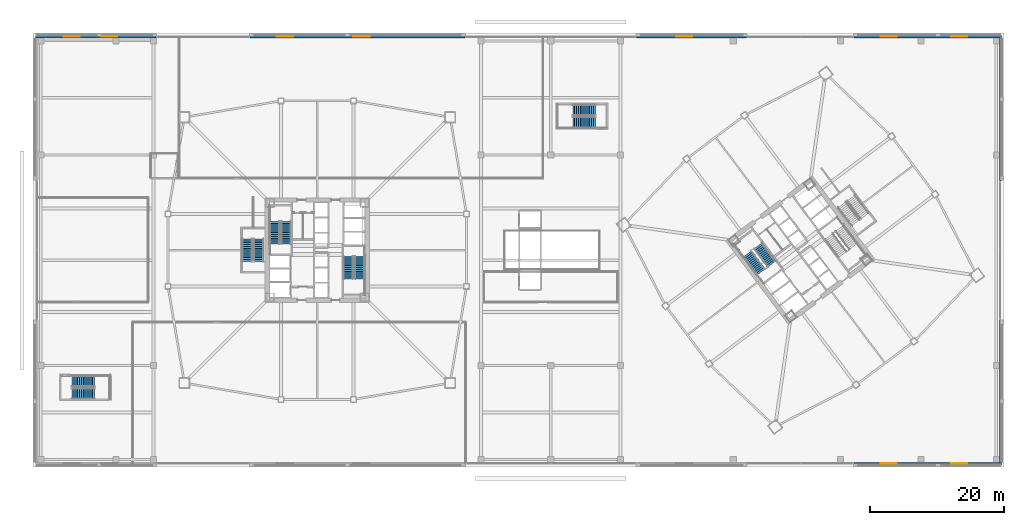
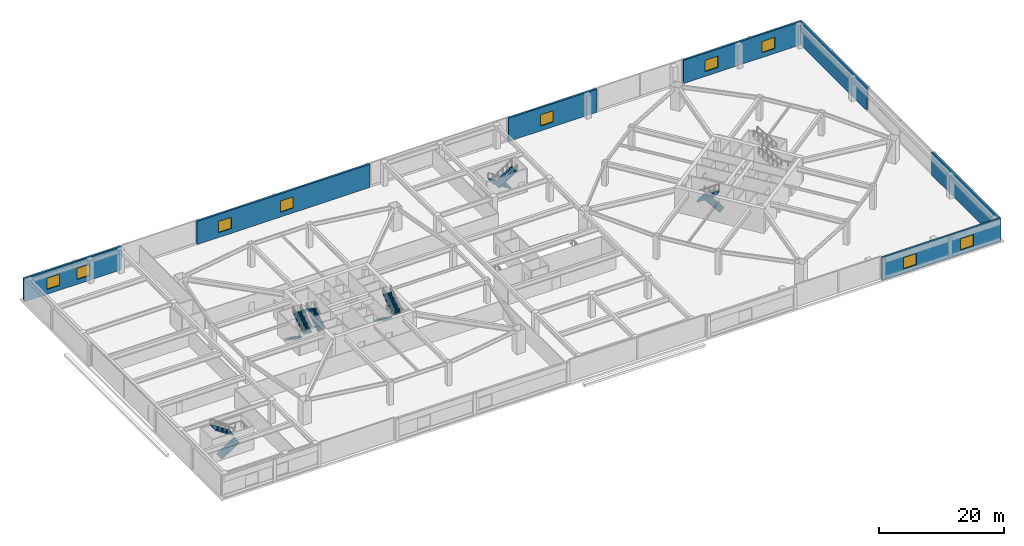
# One storey, part 34 of 44: 12 stair flights, 9 windows, 7 walls, 9 openings, 6 elements without a shape of their own.
"""IFC4 building model written with IfcOpenShell, lengths in metres."""

from ifc_helpers import new_model, si_unit, direction, frame, frame_2d, origin, place, context, subcontext, project, spatial, polyline, rectangle, outline, extrude, material, layer, layer_set, type_object, element, fill, aggregate, save


model = new_model("IFC4")

# Units and contexts
model_context = context("Model", 3, precision=1e-05, world=origin(), true_north=direction((0.0, 1.0)))
body_context = subcontext(model_context, "Body", "Model", "MODEL_VIEW")
ifc_project = project(units=[si_unit("LENGTHUNIT", "METRE"), si_unit("AREAUNIT", "SQUARE_METRE"), si_unit("VOLUMEUNIT", "CUBIC_METRE"), si_unit("PLANEANGLEUNIT", "RADIAN"), si_unit("MASSUNIT", "GRAM", prefix="KILO")], contexts=[model_context])

# Site, building, storey
site_placement = place(None, origin())
site = spatial("IfcSite", under=ifc_project, at=site_placement, CompositionType="ELEMENT")
building_placement = place(site_placement, origin())
building = spatial("IfcBuilding", under=site, at=building_placement, Name="Tashvorn Skyway Center", CompositionType="ELEMENT")
storey_placement = place(building_placement, frame((0.0, 0.0, 5.39990234375)))
storey = spatial("IfcBuildingStorey", under=building, at=storey_placement, Name="L01", CompositionType="ELEMENT", Elevation=5.39990234375)

# Wall, openings, windows
ifc_material_1 = material(Name="Precast concrete C40/50", Category="concrete")
ifc_layer = layer(ifc_material_1, 0.35009765625)
ifc_layer_set = layer_set([ifc_layer], Name="Precast concrete C40/50")
wall_type = type_object("IfcWallType", Name="WALL-EXT-350", PredefinedType="SOLIDWALL", material=ifc_layer_set)
wall_1_placement = place(storey_placement, frame((144.0, 0.175048828125, 0.0), z_axis=(0.0, 0.0, 1.0), x_axis=(-1.0, 0.0, 0.0)))
wall_1 = element("IfcWall", 1, at=wall_1_placement, inside=storey, type_object=wall_type, Name="L01 South Postmodern Pier Wall E1", PredefinedType="SOLIDWALL", context=body_context, shape_type="SweptSolid", body=[
    extrude(rectangle(XDim=22.0, YDim=0.35009765625, at=frame_2d((11.0, 0.0))), origin(), (0.0, 0.0, 1.0), 4.5400390625),
])
opening_1_placement = place(wall_1_placement, frame((15.60009765625, 0.0, 0.949951171875)))
opening_1 = element("IfcOpeningElement", 2, at=opening_1_placement, cuts=wall_1, Name="Opening WIN-2400", PredefinedType="OPENING", context=body_context, shape_type="SweptSolid", body=[
    extrude(rectangle(XDim=2.39990234375, YDim=2.199951171875, at=frame_2d((1.199951171875, 1.10009765625))), frame((0.0, 0.18505859375, 0.0), z_axis=(0.0, -1.0, 0.0), x_axis=(1.0, 0.0, 0.0)), (0.0, 0.0, 1.0), 0.3701171875),
])
opening_2_placement = place(wall_1_placement, frame((5.10009765625, 0.0, 0.949951171875)))
opening_2 = element("IfcOpeningElement", 3, at=opening_2_placement, cuts=wall_1, Name="Opening WIN-2400", PredefinedType="OPENING", context=body_context, shape_type="SweptSolid", body=[
    extrude(rectangle(XDim=2.39990234375, YDim=2.199951171875, at=frame_2d((1.199951171875, 1.10009765625))), frame((0.0, 0.18505859375, 0.0), z_axis=(0.0, -1.0, 0.0), x_axis=(1.0, 0.0, 0.0)), (0.0, 0.0, 1.0), 0.3701171875),
])
ifc_material_2 = material(Name="Low-E solar-control double insulating safety glass", Category="glass")
window_type = type_object("IfcWindowType", Name="WIN-POD-2400", PartitioningType="SINGLE_PANEL", PredefinedType="WINDOW", material=ifc_material_2)
window_1_placement = place(opening_1_placement, origin())
window_1 = element("IfcWindow", 4, at=window_1_placement, inside=storey, type_object=window_type, Name="L01 South Station Pier Window 06", OverallHeight=2.199951171875, OverallWidth=2.39990234375, PartitioningType="SINGLE_PANEL", PredefinedType="WINDOW", context=body_context, shape_type="SweptSolid", body=[
    extrude(rectangle(XDim=2.39990234375, YDim=2.199951171875, at=frame_2d((1.199951171875, 1.10009765625))), frame((0.0, 0.030029296875, 0.0), z_axis=(0.0, -1.0, 0.0), x_axis=(1.0, 0.0, 0.0)), (0.0, 0.0, 1.0), 0.06005859375),
])
fill(opening_1, window_1)
window_2_placement = place(opening_2_placement, origin())
window_2 = element("IfcWindow", 5, at=window_2_placement, inside=storey, type_object=window_type, Name="L01 South Station Pier Window 07", OverallHeight=2.199951171875, OverallWidth=2.39990234375, PartitioningType="SINGLE_PANEL", PredefinedType="WINDOW", context=body_context, shape_type="SweptSolid", body=[
    extrude(rectangle(XDim=2.39990234375, YDim=2.199951171875, at=frame_2d((1.199951171875, 1.10009765625))), frame((0.0, 0.030029296875, 0.0), z_axis=(0.0, -1.0, 0.0), x_axis=(1.0, 0.0, 0.0)), (0.0, 0.0, 1.0), 0.06005859375),
])
fill(opening_2, window_2)

wall_2_placement = place(storey_placement, frame((0.0, 63.824951171875, 0.0), z_axis=(0.0, 0.0, 1.0), x_axis=(1.0, 0.0, 0.0)))
wall_2 = element("IfcWall", 6, at=wall_2_placement, inside=storey, type_object=wall_type, Name="L01 North Postmodern Pier Wall W1", PredefinedType="SOLIDWALL", context=body_context, shape_type="SweptSolid", body=[
    extrude(rectangle(XDim=18.0, YDim=0.35009765625, at=frame_2d((9.0, 0.0))), origin(), (0.0, 0.0, 1.0), 4.5400390625),
])
opening_3_placement = place(wall_2_placement, frame((4.199951171875, 0.0, 0.949951171875)))
opening_3 = element("IfcOpeningElement", 7, at=opening_3_placement, cuts=wall_2, Name="Opening WIN-2400", PredefinedType="OPENING", context=body_context, shape_type="SweptSolid", body=[
    extrude(rectangle(XDim=2.39990234375, YDim=2.199951171875, at=frame_2d((1.199951171875, 1.10009765625))), frame((0.0, 0.18505859375, 0.0), z_axis=(0.0, -1.0, 0.0), x_axis=(1.0, 0.0, 0.0)), (0.0, 0.0, 1.0), 0.3701171875),
])
opening_4_placement = place(wall_2_placement, frame((9.800048828125, 0.0, 0.949951171875)))
opening_4 = element("IfcOpeningElement", 8, at=opening_4_placement, cuts=wall_2, Name="Opening WIN-2400", PredefinedType="OPENING", context=body_context, shape_type="SweptSolid", body=[
    extrude(rectangle(XDim=2.39990234375, YDim=2.199951171875, at=frame_2d((1.199951171875, 1.10009765625))), frame((0.0, 0.18505859375, 0.0), z_axis=(0.0, -1.0, 0.0), x_axis=(1.0, 0.0, 0.0)), (0.0, 0.0, 1.0), 0.3701171875),
])
window_3_placement = place(opening_3_placement, origin())
window_3 = element("IfcWindow", 9, at=window_3_placement, inside=storey, type_object=window_type, Name="L01 North Station Pier Window 01", OverallHeight=2.199951171875, OverallWidth=2.39990234375, PartitioningType="SINGLE_PANEL", PredefinedType="WINDOW", context=body_context, shape_type="SweptSolid", body=[
    extrude(rectangle(XDim=2.39990234375, YDim=2.199951171875, at=frame_2d((1.199951171875, 1.10009765625))), frame((0.0, 0.030029296875, 0.0), z_axis=(0.0, -1.0, 0.0), x_axis=(1.0, 0.0, 0.0)), (0.0, 0.0, 1.0), 0.06005859375),
])
fill(opening_3, window_3)
window_4_placement = place(opening_4_placement, origin())
window_4 = element("IfcWindow", 10, at=window_4_placement, inside=storey, type_object=window_type, Name="L01 North Station Pier Window 02", OverallHeight=2.199951171875, OverallWidth=2.39990234375, PartitioningType="SINGLE_PANEL", PredefinedType="WINDOW", context=body_context, shape_type="SweptSolid", body=[
    extrude(rectangle(XDim=2.39990234375, YDim=2.199951171875, at=frame_2d((1.199951171875, 1.10009765625))), frame((0.0, 0.030029296875, 0.0), z_axis=(0.0, -1.0, 0.0), x_axis=(1.0, 0.0, 0.0)), (0.0, 0.0, 1.0), 0.06005859375),
])
fill(opening_4, window_4)

wall_3_placement = place(storey_placement, frame((32.0, 63.824951171875, 0.0), z_axis=(0.0, 0.0, 1.0), x_axis=(1.0, 0.0, 0.0)))
wall_3 = element("IfcWall", 11, at=wall_3_placement, inside=storey, type_object=wall_type, Name="L01 North Postmodern Pier Wall M1", PredefinedType="SOLIDWALL", context=body_context, shape_type="SweptSolid", body=[
    extrude(rectangle(XDim=32.0, YDim=0.35009765625, at=frame_2d((16.0, 0.0))), origin(), (0.0, 0.0, 1.0), 4.5400390625),
])
opening_5_placement = place(wall_3_placement, frame((4.0, 0.0, 0.949951171875)))
opening_5 = element("IfcOpeningElement", 12, at=opening_5_placement, cuts=wall_3, Name="Opening WIN-2400", PredefinedType="OPENING", context=body_context, shape_type="SweptSolid", body=[
    extrude(rectangle(XDim=2.39990234375, YDim=2.199951171875, at=frame_2d((1.199951171875, 1.10009765625))), frame((0.0, 0.18505859375, 0.0), z_axis=(0.0, -1.0, 0.0), x_axis=(1.0, 0.0, 0.0)), (0.0, 0.0, 1.0), 0.3701171875),
])
opening_6_placement = place(wall_3_placement, frame((15.39990234375, 0.0, 0.949951171875)))
opening_6 = element("IfcOpeningElement", 13, at=opening_6_placement, cuts=wall_3, Name="Opening WIN-2400", PredefinedType="OPENING", context=body_context, shape_type="SweptSolid", body=[
    extrude(rectangle(XDim=2.39990234375, YDim=2.199951171875, at=frame_2d((1.199951171875, 1.10009765625))), frame((0.0, 0.18505859375, 0.0), z_axis=(0.0, -1.0, 0.0), x_axis=(1.0, 0.0, 0.0)), (0.0, 0.0, 1.0), 0.3701171875),
])
window_5_placement = place(opening_5_placement, origin())
window_5 = element("IfcWindow", 14, at=window_5_placement, inside=storey, type_object=window_type, Name="L01 North Station Pier Window 03", OverallHeight=2.199951171875, OverallWidth=2.39990234375, PartitioningType="SINGLE_PANEL", PredefinedType="WINDOW", context=body_context, shape_type="SweptSolid", body=[
    extrude(rectangle(XDim=2.39990234375, YDim=2.199951171875, at=frame_2d((1.199951171875, 1.10009765625))), frame((0.0, 0.030029296875, 0.0), z_axis=(0.0, -1.0, 0.0), x_axis=(1.0, 0.0, 0.0)), (0.0, 0.0, 1.0), 0.06005859375),
])
fill(opening_5, window_5)
window_6_placement = place(opening_6_placement, origin())
window_6 = element("IfcWindow", 15, at=window_6_placement, inside=storey, type_object=window_type, Name="L01 North Station Pier Window 04", OverallHeight=2.199951171875, OverallWidth=2.39990234375, PartitioningType="SINGLE_PANEL", PredefinedType="WINDOW", context=body_context, shape_type="SweptSolid", body=[
    extrude(rectangle(XDim=2.39990234375, YDim=2.199951171875, at=frame_2d((1.199951171875, 1.10009765625))), frame((0.0, 0.030029296875, 0.0), z_axis=(0.0, -1.0, 0.0), x_axis=(1.0, 0.0, 0.0)), (0.0, 0.0, 1.0), 0.06005859375),
])
fill(opening_6, window_6)

# Wall, opening, window
wall_4_placement = place(storey_placement, frame((89.60009765625, 63.824951171875, 0.0), z_axis=(0.0, 0.0, 1.0), x_axis=(1.0, 0.0, 0.0)))
wall_4 = element("IfcWall", 16, at=wall_4_placement, inside=storey, type_object=wall_type, Name="L01 North Postmodern Pier Wall M2", PredefinedType="SOLIDWALL", context=body_context, shape_type="SweptSolid", body=[
    extrude(rectangle(XDim=16.39990234375, YDim=0.35009765625, at=frame_2d((8.199951171875, 0.0))), origin(), (0.0, 0.0, 1.0), 4.5400390625),
])
opening_7_placement = place(wall_4_placement, frame((5.89990234375, 0.0, 0.949951171875)))
opening_7 = element("IfcOpeningElement", 17, at=opening_7_placement, cuts=wall_4, Name="Opening WIN-2400", PredefinedType="OPENING", context=body_context, shape_type="SweptSolid", body=[
    extrude(rectangle(XDim=2.39990234375, YDim=2.199951171875, at=frame_2d((1.199951171875, 1.10009765625))), frame((0.0, 0.18505859375, 0.0), z_axis=(0.0, -1.0, 0.0), x_axis=(1.0, 0.0, 0.0)), (0.0, 0.0, 1.0), 0.3701171875),
])
window_7_placement = place(opening_7_placement, origin())
window_7 = element("IfcWindow", 18, at=window_7_placement, inside=storey, type_object=window_type, Name="L01 North Station Pier Window 05", OverallHeight=2.199951171875, OverallWidth=2.39990234375, PartitioningType="SINGLE_PANEL", PredefinedType="WINDOW", context=body_context, shape_type="SweptSolid", body=[
    extrude(rectangle(XDim=2.39990234375, YDim=2.199951171875, at=frame_2d((1.199951171875, 1.10009765625))), frame((0.0, 0.030029296875, 0.0), z_axis=(0.0, -1.0, 0.0), x_axis=(1.0, 0.0, 0.0)), (0.0, 0.0, 1.0), 0.06005859375),
])
fill(opening_7, window_7)

# Wall, openings, windows
wall_5_placement = place(storey_placement, frame((122.0, 63.824951171875, 0.0), z_axis=(0.0, 0.0, 1.0), x_axis=(1.0, 0.0, 0.0)))
wall_5 = element("IfcWall", 19, at=wall_5_placement, inside=storey, type_object=wall_type, Name="L01 North Postmodern Pier Wall E1", PredefinedType="SOLIDWALL", context=body_context, shape_type="SweptSolid", body=[
    extrude(rectangle(XDim=22.0, YDim=0.35009765625, at=frame_2d((11.0, 0.0))), origin(), (0.0, 0.0, 1.0), 4.5400390625),
])
opening_8_placement = place(wall_5_placement, frame((4.0, 0.0, 0.949951171875)))
opening_8 = element("IfcOpeningElement", 20, at=opening_8_placement, cuts=wall_5, Name="Opening WIN-2400", PredefinedType="OPENING", context=body_context, shape_type="SweptSolid", body=[
    extrude(rectangle(XDim=2.39990234375, YDim=2.199951171875, at=frame_2d((1.199951171875, 1.10009765625))), frame((0.0, 0.18505859375, 0.0), z_axis=(0.0, -1.0, 0.0), x_axis=(1.0, 0.0, 0.0)), (0.0, 0.0, 1.0), 0.3701171875),
])
opening_9_placement = place(wall_5_placement, frame((14.5, 0.0, 0.949951171875)))
opening_9 = element("IfcOpeningElement", 21, at=opening_9_placement, cuts=wall_5, Name="Opening WIN-2400", PredefinedType="OPENING", context=body_context, shape_type="SweptSolid", body=[
    extrude(rectangle(XDim=2.39990234375, YDim=2.199951171875, at=frame_2d((1.199951171875, 1.10009765625))), frame((0.0, 0.18505859375, 0.0), z_axis=(0.0, -1.0, 0.0), x_axis=(1.0, 0.0, 0.0)), (0.0, 0.0, 1.0), 0.3701171875),
])
window_8_placement = place(opening_8_placement, origin())
window_8 = element("IfcWindow", 22, at=window_8_placement, inside=storey, type_object=window_type, Name="L01 North Station Pier Window 06", OverallHeight=2.199951171875, OverallWidth=2.39990234375, PartitioningType="SINGLE_PANEL", PredefinedType="WINDOW", context=body_context, shape_type="SweptSolid", body=[
    extrude(rectangle(XDim=2.39990234375, YDim=2.199951171875, at=frame_2d((1.199951171875, 1.10009765625))), frame((0.0, 0.030029296875, 0.0), z_axis=(0.0, -1.0, 0.0), x_axis=(1.0, 0.0, 0.0)), (0.0, 0.0, 1.0), 0.06005859375),
])
fill(opening_8, window_8)
window_9_placement = place(opening_9_placement, origin())
window_9 = element("IfcWindow", 23, at=window_9_placement, inside=storey, type_object=window_type, Name="L01 North Station Pier Window 07", OverallHeight=2.199951171875, OverallWidth=2.39990234375, PartitioningType="SINGLE_PANEL", PredefinedType="WINDOW", context=body_context, shape_type="SweptSolid", body=[
    extrude(rectangle(XDim=2.39990234375, YDim=2.199951171875, at=frame_2d((1.199951171875, 1.10009765625))), frame((0.0, 0.030029296875, 0.0), z_axis=(0.0, -1.0, 0.0), x_axis=(1.0, 0.0, 0.0)), (0.0, 0.0, 1.0), 0.06005859375),
])
fill(opening_9, window_9)

# Walls
for number, where, z_axis, x_axis, name in (
    (24, (143.824951171875, 63.64990234375, 0.0), (0.0, 0.0, 1.0), (0.0, -1.0, 0.0), "L01 East-North Postmodern Facade Wall"),
    (25, (143.824951171875, 21.60009765625, 0.0), (0.0, 0.0, 1.0), (0.0, -1.0, 0.0), "L01 East-South Postmodern Facade Wall"),
):
    element("IfcWall", number, at=place(storey_placement, frame(where, z_axis=z_axis, x_axis=x_axis)), inside=storey, type_object=wall_type, Name=name, PredefinedType="SOLIDWALL", context=body_context, shape_type="SweptSolid", body=[
        extrude(rectangle(XDim=21.25, YDim=0.35009765625, at=frame_2d((10.625, 0.0))), origin(), (0.0, 0.0, 1.0), 4.5400390625),
    ])

# Stair, stair flights
ifc_material_3 = material(Name="Concrete C40/50", Category="concrete")
stair_type_1 = type_object("IfcStairType", Name="STAIR-CORE-1500", PredefinedType="HALF_TURN_STAIR", material=ifc_material_3)
stair_1_placement = place(storey_placement, origin())
stair_1 = element("IfcStair", 26, at=stair_1_placement, inside=storey, type_object=stair_type_1, Name="L01 Tower 1 Exit Stair 1", PredefinedType="HALF_TURN_STAIR")
stair_flight_type_1 = type_object("IfcStairFlightType", Name="SFLIGHT-1500", PredefinedType="STRAIGHT", material=ifc_material_3)
stair_flight_1_placement = place(storey_placement, frame((37.35009765625, 32.919921875, 0.0), z_axis=(0.0, 0.0, 1.0), x_axis=(0.0, 1.0, 0.0)))
stair_flight_1 = element("IfcStairFlight", 27, at=stair_flight_1_placement, type_object=stair_flight_type_1, Name="ST-T1-1 flight 1", NumberOfRisers=13, NumberOfTreads=12, PredefinedType="STRAIGHT", RiserHeight=0.184615385, TreadLength=0.28, context=body_context, shape_type="SweptSolid", body=[
    extrude(outline(polyline([(0.0, 0.0), (0.0, 0.1845703125), (0.280029296875, 0.1845703125), (0.280029296875, 0.369140625), (0.56005859375, 0.369140625), (0.56005859375, 0.553955078125), (0.840087890625, 0.553955078125), (0.840087890625, 0.738525390625), (1.1201171875, 0.738525390625), (1.1201171875, 0.923095703125), (1.39990234375, 0.923095703125), (1.39990234375, 1.107666015625), (1.679931640625, 1.107666015625), (1.679931640625, 1.292236328125), (1.9599609375, 1.292236328125), (1.9599609375, 1.476806640625), (2.239990234375, 1.476806640625), (2.239990234375, 1.66162109375), (2.52001953125, 1.66162109375), (2.52001953125, 1.84619140625), (2.800048828125, 1.84619140625), (2.800048828125, 2.03076171875), (3.080078125, 2.03076171875), (3.080078125, 2.21533203125), (3.360107421875, 2.21533203125), (3.360107421875, 2.39990234375), (3.360107421875, 2.035888671875), (0.272216796875, 0.0), (0.0, 0.0)])), frame((0.0, 0.75, 0.0), z_axis=(0.0, -1.0, 0.0), x_axis=(1.0, 0.0, 0.0)), (0.0, 0.0, 1.0), 1.5),
])
stair_flight_2_placement = place(storey_placement, frame((35.64990234375, 36.280029296875, 2.400146484375), z_axis=(0.0, 0.0, 1.0), x_axis=(0.0, -1.0, 0.0)))
stair_flight_2 = element("IfcStairFlight", 28, at=stair_flight_2_placement, type_object=stair_flight_type_1, Name="ST-T1-1 flight 2", NumberOfRisers=13, NumberOfTreads=12, PredefinedType="STRAIGHT", RiserHeight=0.184615385, TreadLength=0.28, context=body_context, shape_type="SweptSolid", body=[
    extrude(outline(polyline([(0.0, 0.0), (0.0, 0.1845703125), (0.280029296875, 0.1845703125), (0.280029296875, 0.369140625), (0.56005859375, 0.369140625), (0.56005859375, 0.553955078125), (0.840087890625, 0.553955078125), (0.840087890625, 0.738525390625), (1.1201171875, 0.738525390625), (1.1201171875, 0.923095703125), (1.39990234375, 0.923095703125), (1.39990234375, 1.107666015625), (1.679931640625, 1.107666015625), (1.679931640625, 1.292236328125), (1.9599609375, 1.292236328125), (1.9599609375, 1.476806640625), (2.239990234375, 1.476806640625), (2.239990234375, 1.66162109375), (2.52001953125, 1.66162109375), (2.52001953125, 1.84619140625), (2.800048828125, 1.84619140625), (2.800048828125, 2.03076171875), (3.080078125, 2.03076171875), (3.080078125, 2.21533203125), (3.360107421875, 2.21533203125), (3.360107421875, 2.39990234375), (3.360107421875, 2.035888671875), (0.272216796875, 0.0), (0.0, 0.0)])), frame((0.0, 0.75, 0.0), z_axis=(0.0, -1.0, 0.0), x_axis=(1.0, 0.0, 0.0)), (0.0, 0.0, 1.0), 1.5),
])
aggregate(stair_1, [stair_flight_1, stair_flight_2])

stair_2_placement = place(storey_placement, origin())
stair_2 = element("IfcStair", 29, at=stair_2_placement, inside=storey, type_object=stair_type_1, Name="L01 Tower 1 Exit Stair 2", PredefinedType="HALF_TURN_STAIR")
stair_flight_3_placement = place(storey_placement, frame((46.64990234375, 31.080078125, 0.0), z_axis=(0.0, 0.0, 1.0), x_axis=(0.0, -1.0, 0.0)))
stair_flight_3 = element("IfcStairFlight", 30, at=stair_flight_3_placement, type_object=stair_flight_type_1, Name="ST-T1-2 flight 1", NumberOfRisers=13, NumberOfTreads=12, PredefinedType="STRAIGHT", RiserHeight=0.184615385, TreadLength=0.28, context=body_context, shape_type="SweptSolid", body=[
    extrude(outline(polyline([(0.0, 0.0), (0.0, 0.1845703125), (0.280029296875, 0.1845703125), (0.280029296875, 0.369140625), (0.56005859375, 0.369140625), (0.56005859375, 0.553955078125), (0.840087890625, 0.553955078125), (0.840087890625, 0.738525390625), (1.1201171875, 0.738525390625), (1.1201171875, 0.923095703125), (1.39990234375, 0.923095703125), (1.39990234375, 1.107666015625), (1.679931640625, 1.107666015625), (1.679931640625, 1.292236328125), (1.9599609375, 1.292236328125), (1.9599609375, 1.476806640625), (2.239990234375, 1.476806640625), (2.239990234375, 1.66162109375), (2.52001953125, 1.66162109375), (2.52001953125, 1.84619140625), (2.800048828125, 1.84619140625), (2.800048828125, 2.03076171875), (3.080078125, 2.03076171875), (3.080078125, 2.21533203125), (3.360107421875, 2.21533203125), (3.360107421875, 2.39990234375), (3.360107421875, 2.035888671875), (0.272216796875, 0.0), (0.0, 0.0)])), frame((0.0, 0.75, 0.0), z_axis=(0.0, -1.0, 0.0), x_axis=(1.0, 0.0, 0.0)), (0.0, 0.0, 1.0), 1.5),
])
stair_flight_4_placement = place(storey_placement, frame((48.35009765625, 27.719970703125, 2.400146484375), z_axis=(0.0, 0.0, 1.0), x_axis=(0.0, 1.0, 0.0)))
stair_flight_4 = element("IfcStairFlight", 31, at=stair_flight_4_placement, type_object=stair_flight_type_1, Name="ST-T1-2 flight 2", NumberOfRisers=13, NumberOfTreads=12, PredefinedType="STRAIGHT", RiserHeight=0.184615385, TreadLength=0.28, context=body_context, shape_type="SweptSolid", body=[
    extrude(outline(polyline([(0.0, 0.0), (0.0, 0.1845703125), (0.280029296875, 0.1845703125), (0.280029296875, 0.369140625), (0.56005859375, 0.369140625), (0.56005859375, 0.553955078125), (0.840087890625, 0.553955078125), (0.840087890625, 0.738525390625), (1.1201171875, 0.738525390625), (1.1201171875, 0.923095703125), (1.39990234375, 0.923095703125), (1.39990234375, 1.107666015625), (1.679931640625, 1.107666015625), (1.679931640625, 1.292236328125), (1.9599609375, 1.292236328125), (1.9599609375, 1.476806640625), (2.239990234375, 1.476806640625), (2.239990234375, 1.66162109375), (2.52001953125, 1.66162109375), (2.52001953125, 1.84619140625), (2.800048828125, 1.84619140625), (2.800048828125, 2.03076171875), (3.080078125, 2.03076171875), (3.080078125, 2.21533203125), (3.360107421875, 2.21533203125), (3.360107421875, 2.39990234375), (3.360107421875, 2.035888671875), (0.272216796875, 0.0), (0.0, 0.0)])), frame((0.0, 0.75, 0.0), z_axis=(0.0, -1.0, 0.0), x_axis=(1.0, 0.0, 0.0)), (0.0, 0.0, 1.0), 1.5),
])
aggregate(stair_2, [stair_flight_3, stair_flight_4])

stair_3_placement = place(storey_placement, origin())
stair_3 = element("IfcStair", 32, at=stair_3_placement, inside=storey, type_object=stair_type_1, Name="L01 Tower 2 Exit Stair 1", PredefinedType="HALF_TURN_STAIR")
stair_flight_5_placement = place(storey_placement, frame((109.72802734375, 29.946044921875, 0.0), z_axis=(0.0, 0.0, 1.0), x_axis=(-0.600000004945, 0.799999996291, 0.0)))
stair_flight_5 = element("IfcStairFlight", 33, at=stair_flight_5_placement, type_object=stair_flight_type_1, Name="ST-T2-1 flight 1", NumberOfRisers=13, NumberOfTreads=12, PredefinedType="STRAIGHT", RiserHeight=0.184615385, TreadLength=0.28, context=body_context, shape_type="SweptSolid", body=[
    extrude(outline(polyline([(0.0, 0.0), (0.0, 0.1845703125), (0.280029296875, 0.1845703125), (0.280029296875, 0.369140625), (0.56005859375, 0.369140625), (0.56005859375, 0.553955078125), (0.840087890625, 0.553955078125), (0.840087890625, 0.738525390625), (1.1201171875, 0.738525390625), (1.1201171875, 0.923095703125), (1.39990234375, 0.923095703125), (1.39990234375, 1.107666015625), (1.679931640625, 1.107666015625), (1.679931640625, 1.292236328125), (1.9599609375, 1.292236328125), (1.9599609375, 1.476806640625), (2.239990234375, 1.476806640625), (2.239990234375, 1.66162109375), (2.52001953125, 1.66162109375), (2.52001953125, 1.84619140625), (2.800048828125, 1.84619140625), (2.800048828125, 2.03076171875), (3.080078125, 2.03076171875), (3.080078125, 2.21533203125), (3.360107421875, 2.21533203125), (3.360107421875, 2.39990234375), (3.360107421875, 2.035888671875), (0.272216796875, 0.0), (0.0, 0.0)])), frame((0.0, 0.75, 0.0), z_axis=(0.0, -1.0, 0.0), x_axis=(1.0, 0.0, 0.0)), (0.0, 0.0, 1.0), 1.5),
])
stair_flight_6_placement = place(storey_placement, frame((106.1279296875, 31.446044921875, 2.400146484375), z_axis=(0.0, 0.0, 1.0), x_axis=(0.600000004945, -0.799999996291, 0.0)))
stair_flight_6 = element("IfcStairFlight", 34, at=stair_flight_6_placement, type_object=stair_flight_type_1, Name="ST-T2-1 flight 2", NumberOfRisers=13, NumberOfTreads=12, PredefinedType="STRAIGHT", RiserHeight=0.184615385, TreadLength=0.28, context=body_context, shape_type="SweptSolid", body=[
    extrude(outline(polyline([(0.0, 0.0), (0.0, 0.1845703125), (0.280029296875, 0.1845703125), (0.280029296875, 0.369140625), (0.56005859375, 0.369140625), (0.56005859375, 0.553955078125), (0.840087890625, 0.553955078125), (0.840087890625, 0.738525390625), (1.1201171875, 0.738525390625), (1.1201171875, 0.923095703125), (1.39990234375, 0.923095703125), (1.39990234375, 1.107666015625), (1.679931640625, 1.107666015625), (1.679931640625, 1.292236328125), (1.9599609375, 1.292236328125), (1.9599609375, 1.476806640625), (2.239990234375, 1.476806640625), (2.239990234375, 1.66162109375), (2.52001953125, 1.66162109375), (2.52001953125, 1.84619140625), (2.800048828125, 1.84619140625), (2.800048828125, 2.03076171875), (3.080078125, 2.03076171875), (3.080078125, 2.21533203125), (3.360107421875, 2.21533203125), (3.360107421875, 2.39990234375), (3.360107421875, 2.035888671875), (0.272216796875, 0.0), (0.0, 0.0)])), frame((0.0, 0.75, 0.0), z_axis=(0.0, -1.0, 0.0), x_axis=(1.0, 0.0, 0.0)), (0.0, 0.0, 1.0), 1.5),
])
aggregate(stair_3, [stair_flight_5, stair_flight_6])

stair_4_placement = place(storey_placement, origin())
stair_4 = element("IfcStair", 35, at=stair_4_placement, inside=storey, type_object=stair_type_1, Name="L01 Tower 1 Exit Stair 3", PredefinedType="HALF_TURN_STAIR")
stair_flight_7_placement = place(storey_placement, frame((31.550048828125, 33.679931640625, 0.0), z_axis=(0.0, 0.0, 1.0), x_axis=(0.0, -1.0, 0.0)))
stair_flight_7 = element("IfcStairFlight", 36, at=stair_flight_7_placement, type_object=stair_flight_type_1, Name="ST-T1-3 flight 1", NumberOfRisers=13, NumberOfTreads=12, PredefinedType="STRAIGHT", RiserHeight=0.184615385, TreadLength=0.28, context=body_context, shape_type="SweptSolid", body=[
    extrude(outline(polyline([(0.0, 0.0), (0.0, 0.1845703125), (0.280029296875, 0.1845703125), (0.280029296875, 0.369140625), (0.56005859375, 0.369140625), (0.56005859375, 0.553955078125), (0.840087890625, 0.553955078125), (0.840087890625, 0.738525390625), (1.1201171875, 0.738525390625), (1.1201171875, 0.923095703125), (1.39990234375, 0.923095703125), (1.39990234375, 1.107666015625), (1.679931640625, 1.107666015625), (1.679931640625, 1.292236328125), (1.9599609375, 1.292236328125), (1.9599609375, 1.476806640625), (2.239990234375, 1.476806640625), (2.239990234375, 1.66162109375), (2.52001953125, 1.66162109375), (2.52001953125, 1.84619140625), (2.800048828125, 1.84619140625), (2.800048828125, 2.03076171875), (3.080078125, 2.03076171875), (3.080078125, 2.21533203125), (3.360107421875, 2.21533203125), (3.360107421875, 2.39990234375), (3.360107421875, 2.035888671875), (0.272216796875, 0.0), (0.0, 0.0)])), frame((0.0, 0.75, 0.0), z_axis=(0.0, -1.0, 0.0), x_axis=(1.0, 0.0, 0.0)), (0.0, 0.0, 1.0), 1.5),
])
stair_flight_8_placement = place(storey_placement, frame((33.25, 30.320068359375, 2.400146484375), z_axis=(0.0, 0.0, 1.0), x_axis=(0.0, 1.0, 0.0)))
stair_flight_8 = element("IfcStairFlight", 37, at=stair_flight_8_placement, type_object=stair_flight_type_1, Name="ST-T1-3 flight 2", NumberOfRisers=13, NumberOfTreads=12, PredefinedType="STRAIGHT", RiserHeight=0.184615385, TreadLength=0.28, context=body_context, shape_type="SweptSolid", body=[
    extrude(outline(polyline([(0.0, 0.0), (0.0, 0.1845703125), (0.280029296875, 0.1845703125), (0.280029296875, 0.369140625), (0.56005859375, 0.369140625), (0.56005859375, 0.553955078125), (0.840087890625, 0.553955078125), (0.840087890625, 0.738525390625), (1.1201171875, 0.738525390625), (1.1201171875, 0.923095703125), (1.39990234375, 0.923095703125), (1.39990234375, 1.107666015625), (1.679931640625, 1.107666015625), (1.679931640625, 1.292236328125), (1.9599609375, 1.292236328125), (1.9599609375, 1.476806640625), (2.239990234375, 1.476806640625), (2.239990234375, 1.66162109375), (2.52001953125, 1.66162109375), (2.52001953125, 1.84619140625), (2.800048828125, 1.84619140625), (2.800048828125, 2.03076171875), (3.080078125, 2.03076171875), (3.080078125, 2.21533203125), (3.360107421875, 2.21533203125), (3.360107421875, 2.39990234375), (3.360107421875, 2.035888671875), (0.272216796875, 0.0), (0.0, 0.0)])), frame((0.0, 0.75, 0.0), z_axis=(0.0, -1.0, 0.0), x_axis=(1.0, 0.0, 0.0)), (0.0, 0.0, 1.0), 1.5),
])
aggregate(stair_4, [stair_flight_7, stair_flight_8])

stair_type_2 = type_object("IfcStairType", Name="STAIR-POD-1650", PredefinedType="HALF_TURN_STAIR", material=ifc_material_3)
stair_5_placement = place(storey_placement, origin())
stair_5 = element("IfcStair", 38, at=stair_5_placement, inside=storey, type_object=stair_type_2, Name="L01 Podium West Exit Stair 1", PredefinedType="HALF_TURN_STAIR")
stair_flight_type_2 = type_object("IfcStairFlightType", Name="SFLIGHT-1650", PredefinedType="STRAIGHT", material=ifc_material_3)
stair_flight_9_placement = place(storey_placement, frame((5.449951171875, 10.625, 0.0), z_axis=(0.0, 0.0, 1.0), x_axis=(1.0, 0.0, 0.0)))
stair_flight_9 = element("IfcStairFlight", 39, at=stair_flight_9_placement, type_object=stair_flight_type_2, Name="ST-POD-1 flight 1", NumberOfRisers=13, NumberOfTreads=12, PredefinedType="STRAIGHT", RiserHeight=0.184615385, TreadLength=0.28, context=body_context, shape_type="SweptSolid", body=[
    extrude(outline(polyline([(0.0, 0.0), (0.0, 0.1845703125), (0.280029296875, 0.1845703125), (0.280029296875, 0.369140625), (0.56005859375, 0.369140625), (0.56005859375, 0.553955078125), (0.840087890625, 0.553955078125), (0.840087890625, 0.738525390625), (1.1201171875, 0.738525390625), (1.1201171875, 0.923095703125), (1.39990234375, 0.923095703125), (1.39990234375, 1.107666015625), (1.679931640625, 1.107666015625), (1.679931640625, 1.292236328125), (1.9599609375, 1.292236328125), (1.9599609375, 1.476806640625), (2.239990234375, 1.476806640625), (2.239990234375, 1.66162109375), (2.52001953125, 1.66162109375), (2.52001953125, 1.84619140625), (2.800048828125, 1.84619140625), (2.800048828125, 2.03076171875), (3.080078125, 2.03076171875), (3.080078125, 2.21533203125), (3.360107421875, 2.21533203125), (3.360107421875, 2.39990234375), (3.360107421875, 2.035888671875), (0.272216796875, 0.0), (0.0, 0.0)])), frame((0.0, 0.824951171875, 0.0), z_axis=(0.0, -1.0, 0.0), x_axis=(1.0, 0.0, 0.0)), (0.0, 0.0, 1.0), 1.64990234375),
])
stair_flight_10_placement = place(storey_placement, frame((8.81005859375, 12.47509765625, 2.400146484375), z_axis=(0.0, 0.0, 1.0), x_axis=(-1.0, 0.0, 0.0)))
stair_flight_10 = element("IfcStairFlight", 40, at=stair_flight_10_placement, type_object=stair_flight_type_2, Name="ST-POD-1 flight 2", NumberOfRisers=13, NumberOfTreads=12, PredefinedType="STRAIGHT", RiserHeight=0.184615385, TreadLength=0.28, context=body_context, shape_type="SweptSolid", body=[
    extrude(outline(polyline([(0.0, 0.0), (0.0, 0.1845703125), (0.280029296875, 0.1845703125), (0.280029296875, 0.369140625), (0.56005859375, 0.369140625), (0.56005859375, 0.553955078125), (0.840087890625, 0.553955078125), (0.840087890625, 0.738525390625), (1.1201171875, 0.738525390625), (1.1201171875, 0.923095703125), (1.39990234375, 0.923095703125), (1.39990234375, 1.107666015625), (1.679931640625, 1.107666015625), (1.679931640625, 1.292236328125), (1.9599609375, 1.292236328125), (1.9599609375, 1.476806640625), (2.239990234375, 1.476806640625), (2.239990234375, 1.66162109375), (2.52001953125, 1.66162109375), (2.52001953125, 1.84619140625), (2.800048828125, 1.84619140625), (2.800048828125, 2.03076171875), (3.080078125, 2.03076171875), (3.080078125, 2.21533203125), (3.360107421875, 2.21533203125), (3.360107421875, 2.39990234375), (3.360107421875, 2.035888671875), (0.272216796875, 0.0), (0.0, 0.0)])), frame((0.0, 0.824951171875, 0.0), z_axis=(0.0, -1.0, 0.0), x_axis=(1.0, 0.0, 0.0)), (0.0, 0.0, 1.0), 1.64990234375),
])
aggregate(stair_5, [stair_flight_9, stair_flight_10])

stair_6_placement = place(storey_placement, origin())
stair_6 = element("IfcStair", 41, at=stair_6_placement, inside=storey, type_object=stair_type_2, Name="L01 Podium East Exit Stair 2", PredefinedType="HALF_TURN_STAIR")
stair_flight_11_placement = place(storey_placement, frame((83.449951171875, 52.875, 0.0), z_axis=(0.0, 0.0, 1.0), x_axis=(-1.0, 0.0, 0.0)))
stair_flight_11 = element("IfcStairFlight", 42, at=stair_flight_11_placement, type_object=stair_flight_type_2, Name="ST-POD-2 flight 1", NumberOfRisers=13, NumberOfTreads=12, PredefinedType="STRAIGHT", RiserHeight=0.184615385, TreadLength=0.28, context=body_context, shape_type="SweptSolid", body=[
    extrude(outline(polyline([(0.0, 0.0), (0.0, 0.1845703125), (0.280029296875, 0.1845703125), (0.280029296875, 0.369140625), (0.56005859375, 0.369140625), (0.56005859375, 0.553955078125), (0.840087890625, 0.553955078125), (0.840087890625, 0.738525390625), (1.1201171875, 0.738525390625), (1.1201171875, 0.923095703125), (1.39990234375, 0.923095703125), (1.39990234375, 1.107666015625), (1.679931640625, 1.107666015625), (1.679931640625, 1.292236328125), (1.9599609375, 1.292236328125), (1.9599609375, 1.476806640625), (2.239990234375, 1.476806640625), (2.239990234375, 1.66162109375), (2.52001953125, 1.66162109375), (2.52001953125, 1.84619140625), (2.800048828125, 1.84619140625), (2.800048828125, 2.03076171875), (3.080078125, 2.03076171875), (3.080078125, 2.21533203125), (3.360107421875, 2.21533203125), (3.360107421875, 2.39990234375), (3.360107421875, 2.035888671875), (0.272216796875, 0.0), (0.0, 0.0)])), frame((0.0, 0.824951171875, 0.0), z_axis=(0.0, -1.0, 0.0), x_axis=(1.0, 0.0, 0.0)), (0.0, 0.0, 1.0), 1.64990234375),
])
stair_flight_12_placement = place(storey_placement, frame((80.090087890625, 51.02490234375, 2.400146484375), z_axis=(0.0, 0.0, 1.0), x_axis=(1.0, 0.0, 0.0)))
stair_flight_12 = element("IfcStairFlight", 43, at=stair_flight_12_placement, type_object=stair_flight_type_2, Name="ST-POD-2 flight 2", NumberOfRisers=13, NumberOfTreads=12, PredefinedType="STRAIGHT", RiserHeight=0.184615385, TreadLength=0.28, context=body_context, shape_type="SweptSolid", body=[
    extrude(outline(polyline([(0.0, 0.0), (0.0, 0.1845703125), (0.280029296875, 0.1845703125), (0.280029296875, 0.369140625), (0.56005859375, 0.369140625), (0.56005859375, 0.553955078125), (0.840087890625, 0.553955078125), (0.840087890625, 0.738525390625), (1.1201171875, 0.738525390625), (1.1201171875, 0.923095703125), (1.39990234375, 0.923095703125), (1.39990234375, 1.107666015625), (1.679931640625, 1.107666015625), (1.679931640625, 1.292236328125), (1.9599609375, 1.292236328125), (1.9599609375, 1.476806640625), (2.239990234375, 1.476806640625), (2.239990234375, 1.66162109375), (2.52001953125, 1.66162109375), (2.52001953125, 1.84619140625), (2.800048828125, 1.84619140625), (2.800048828125, 2.03076171875), (3.080078125, 2.03076171875), (3.080078125, 2.21533203125), (3.360107421875, 2.21533203125), (3.360107421875, 2.39990234375), (3.360107421875, 2.035888671875), (0.272216796875, 0.0), (0.0, 0.0)])), frame((0.0, 0.824951171875, 0.0), z_axis=(0.0, -1.0, 0.0), x_axis=(1.0, 0.0, 0.0)), (0.0, 0.0, 1.0), 1.64990234375),
])
aggregate(stair_6, [stair_flight_11, stair_flight_12])

save(model, "model.ifc")
